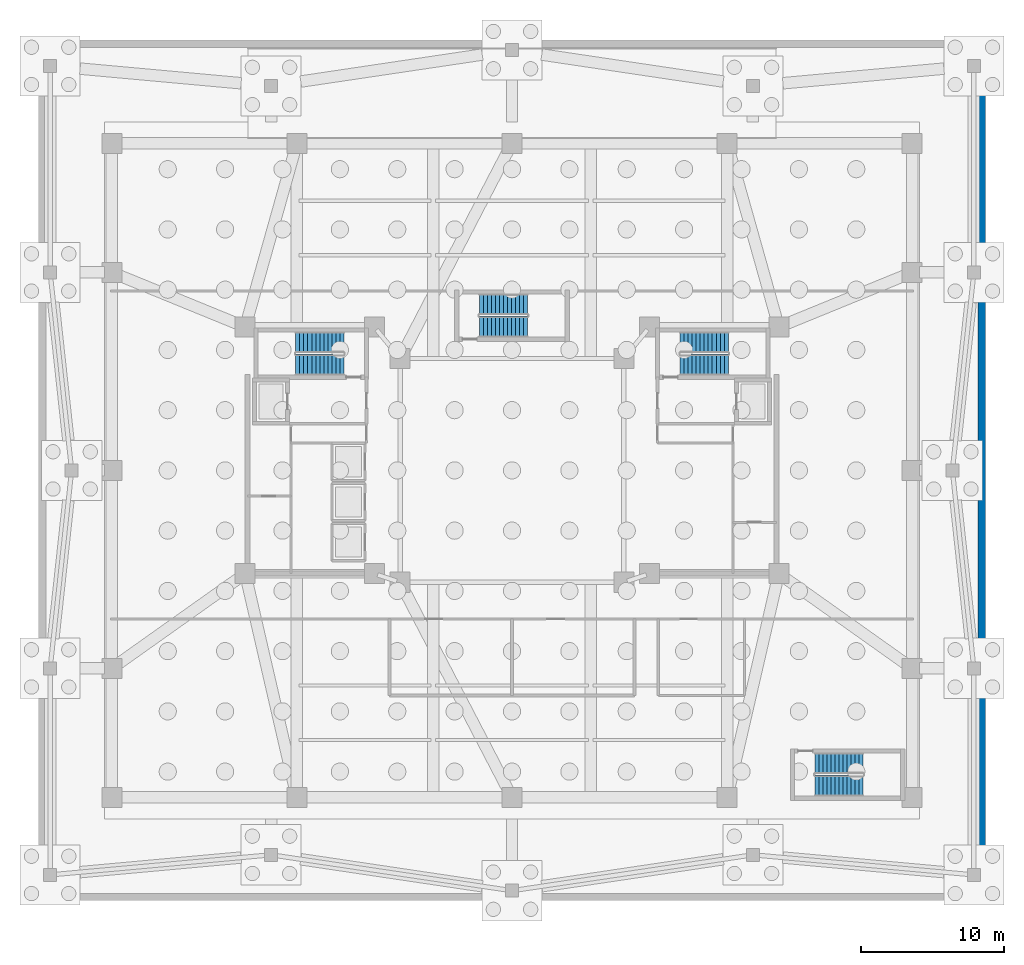
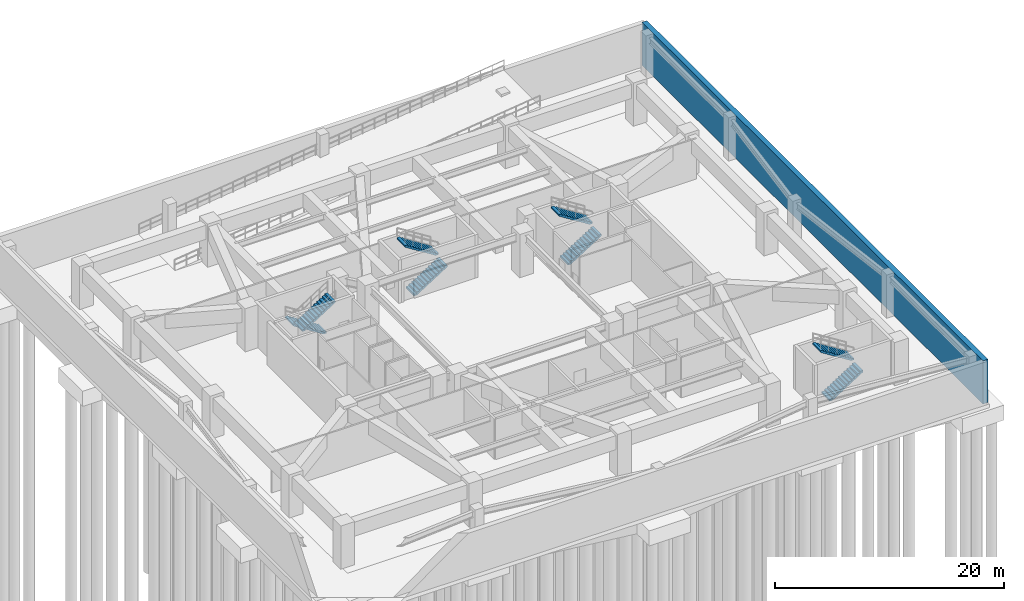
# One storey, part 6 of 9: 8 stair flights, 1 wall, 4 elements without a shape of their own.
"""IFC4 building model written with IfcOpenShell, lengths in metres."""

from ifc_helpers import new_model, si_unit, direction, frame, frame_2d, origin, place, context, subcontext, project, spatial, polyline, rectangle, outline, extrude, material, layer, layer_set, type_object, element, aggregate, save


model = new_model("IFC4")

# Units and contexts
model_context = context("Model", 3, precision=1e-05, world=origin(), true_north=direction((0.0, 1.0)))
body_context = subcontext(model_context, "Body", "Model", "MODEL_VIEW")
ifc_project = project(units=[si_unit("LENGTHUNIT", "METRE"), si_unit("AREAUNIT", "SQUARE_METRE"), si_unit("VOLUMEUNIT", "CUBIC_METRE"), si_unit("PLANEANGLEUNIT", "RADIAN"), si_unit("MASSUNIT", "GRAM", prefix="KILO")], contexts=[model_context])

# Site, building, storey
site_placement = place(None, origin())
site = spatial("IfcSite", under=ifc_project, at=site_placement, CompositionType="ELEMENT")
building_placement = place(site_placement, origin())
building = spatial("IfcBuilding", under=site, at=building_placement, Name="Tarnavaz Court Tower", CompositionType="ELEMENT")
storey_placement = place(building_placement, frame((0.0, 0.0, -9.199951171875)))
storey = spatial("IfcBuildingStorey", under=building, at=storey_placement, Name="B02", CompositionType="ELEMENT", Elevation=-9.199951171875)

# Wall
ifc_material_1 = material(Name="Concrete C50/60", Category="concrete")
ifc_layer = layer(ifc_material_1, 0.5)
ifc_layer_set = layer_set([ifc_layer], Name="Concrete C50/60")
wall_type = type_object("IfcWallType", Name="WL-RET-500", PredefinedType="USERDEFINED", material=ifc_layer_set)
wall_placement = place(storey_placement, frame((32.75, 29.75, 0.0), z_axis=(0.0, 0.0, 1.0), x_axis=(0.0, -1.0, 0.0)))
element("IfcWall", 1, at=wall_placement, inside=storey, type_object=wall_type, Name="B02 Perimeter Retaining Wall 2", ObjectType="RETAINING WALL", PredefinedType="USERDEFINED", context=body_context, shape_type="SweptSolid", body=[
    extrude(rectangle(XDim=59.5, YDim=0.5, at=frame_2d((29.75, 0.0))), origin(), (0.0, 0.0, 1.0), 4.599853515625),
])

# Stair, stair flights
ifc_material_2 = material(Name="Concrete C40/50", Category="concrete")
stair_type = type_object("IfcStairType", Name="ST-TWR-26R", PredefinedType="HALF_TURN_STAIR", material=ifc_material_2)
stair_1_placement = place(storey_placement, origin())
stair_1 = element("IfcStair", 2, at=stair_1_placement, inside=storey, type_object=stair_type, Name="B02 West Core Pressurized Exit Stair ST-W1", PredefinedType="HALF_TURN_STAIR")
stair_flight_type = type_object("IfcStairFlightType", Name="SFL-RC-26R", PredefinedType="STRAIGHT", material=ifc_material_2)
stair_flight_1_placement = place(storey_placement, frame((-11.719970703125, 8.929931640625, 0.0), z_axis=(0.0, 0.0, 1.0), x_axis=(-1.0, 0.0, 0.0)))
stair_flight_1 = element("IfcStairFlight", 3, at=stair_flight_1_placement, type_object=stair_flight_type, Name="ST-W1 flight 1", NumberOfRisers=13, NumberOfTreads=12, PredefinedType="STRAIGHT", RiserHeight=0.176923077, TreadLength=0.28, context=body_context, shape_type="SweptSolid", body=[
    extrude(outline(polyline([(0.0, 0.0), (0.0, 0.177001953125), (0.280029296875, 0.177001953125), (0.280029296875, 0.353759765625), (0.56005859375, 0.353759765625), (0.56005859375, 0.53076171875), (0.840087890625, 0.53076171875), (0.840087890625, 0.707763671875), (1.1201171875, 0.707763671875), (1.1201171875, 0.884521484375), (1.39990234375, 0.884521484375), (1.39990234375, 1.0615234375), (1.679931640625, 1.0615234375), (1.679931640625, 1.238525390625), (1.9599609375, 1.238525390625), (1.9599609375, 1.415283203125), (2.239990234375, 1.415283203125), (2.239990234375, 1.59228515625), (2.52001953125, 1.59228515625), (2.52001953125, 1.769287109375), (2.800048828125, 1.769287109375), (2.800048828125, 1.946044921875), (3.080078125, 1.946044921875), (3.080078125, 2.123046875), (3.360107421875, 2.123046875), (3.360107421875, 2.300048828125), (3.360107421875, 1.94580078125), (0.280517578125, 0.0), (0.0, 0.0)])), frame((0.0, 0.7099609375, 0.0), z_axis=(0.0, -1.0, 0.0), x_axis=(1.0, 0.0, 0.0)), (0.0, 0.0, 1.0), 1.419921875),
])
stair_flight_2_placement = place(storey_placement, frame((-15.080078125, 7.360107421875, 2.300048828125), z_axis=(0.0, 0.0, 1.0), x_axis=(1.0, 0.0, 0.0)))
stair_flight_2 = element("IfcStairFlight", 4, at=stair_flight_2_placement, type_object=stair_flight_type, Name="ST-W1 flight 2", NumberOfRisers=13, NumberOfTreads=12, PredefinedType="STRAIGHT", RiserHeight=0.176923077, TreadLength=0.28, context=body_context, shape_type="SweptSolid", body=[
    extrude(outline(polyline([(0.0, 0.0), (0.0, 0.177001953125), (0.280029296875, 0.177001953125), (0.280029296875, 0.353759765625), (0.56005859375, 0.353759765625), (0.56005859375, 0.53076171875), (0.840087890625, 0.53076171875), (0.840087890625, 0.707763671875), (1.1201171875, 0.707763671875), (1.1201171875, 0.884521484375), (1.39990234375, 0.884521484375), (1.39990234375, 1.0615234375), (1.679931640625, 1.0615234375), (1.679931640625, 1.238525390625), (1.9599609375, 1.238525390625), (1.9599609375, 1.415283203125), (2.239990234375, 1.415283203125), (2.239990234375, 1.59228515625), (2.52001953125, 1.59228515625), (2.52001953125, 1.769287109375), (2.800048828125, 1.769287109375), (2.800048828125, 1.946044921875), (3.080078125, 1.946044921875), (3.080078125, 2.123046875), (3.360107421875, 2.123046875), (3.360107421875, 2.300048828125), (3.360107421875, 1.94580078125), (0.280517578125, 0.0), (0.0, 0.0)])), frame((0.0, 0.7099609375, 0.0), z_axis=(0.0, -1.0, 0.0), x_axis=(1.0, 0.0, 0.0)), (0.0, 0.0, 1.0), 1.419921875),
])
aggregate(stair_1, [stair_flight_1, stair_flight_2])

stair_2_placement = place(storey_placement, origin())
stair_2 = element("IfcStair", 5, at=stair_2_placement, inside=storey, type_object=stair_type, Name="B02 East Core Pressurized Exit Stair ST-E1", PredefinedType="HALF_TURN_STAIR")
stair_flight_3_placement = place(storey_placement, frame((11.719970703125, 7.360107421875, 0.0), z_axis=(0.0, 0.0, 1.0), x_axis=(1.0, 0.0, 0.0)))
stair_flight_3 = element("IfcStairFlight", 6, at=stair_flight_3_placement, type_object=stair_flight_type, Name="ST-E1 flight 1", NumberOfRisers=13, NumberOfTreads=12, PredefinedType="STRAIGHT", RiserHeight=0.176923077, TreadLength=0.28, context=body_context, shape_type="SweptSolid", body=[
    extrude(outline(polyline([(0.0, 0.0), (0.0, 0.177001953125), (0.280029296875, 0.177001953125), (0.280029296875, 0.353759765625), (0.56005859375, 0.353759765625), (0.56005859375, 0.53076171875), (0.840087890625, 0.53076171875), (0.840087890625, 0.707763671875), (1.1201171875, 0.707763671875), (1.1201171875, 0.884521484375), (1.39990234375, 0.884521484375), (1.39990234375, 1.0615234375), (1.679931640625, 1.0615234375), (1.679931640625, 1.238525390625), (1.9599609375, 1.238525390625), (1.9599609375, 1.415283203125), (2.239990234375, 1.415283203125), (2.239990234375, 1.59228515625), (2.52001953125, 1.59228515625), (2.52001953125, 1.769287109375), (2.800048828125, 1.769287109375), (2.800048828125, 1.946044921875), (3.080078125, 1.946044921875), (3.080078125, 2.123046875), (3.360107421875, 2.123046875), (3.360107421875, 2.300048828125), (3.360107421875, 1.94580078125), (0.280517578125, 0.0), (0.0, 0.0)])), frame((0.0, 0.7099609375, 0.0), z_axis=(0.0, -1.0, 0.0), x_axis=(1.0, 0.0, 0.0)), (0.0, 0.0, 1.0), 1.419921875),
])
stair_flight_4_placement = place(storey_placement, frame((15.080078125, 8.929931640625, 2.300048828125), z_axis=(0.0, 0.0, 1.0), x_axis=(-1.0, 0.0, 0.0)))
stair_flight_4 = element("IfcStairFlight", 7, at=stair_flight_4_placement, type_object=stair_flight_type, Name="ST-E1 flight 2", NumberOfRisers=13, NumberOfTreads=12, PredefinedType="STRAIGHT", RiserHeight=0.176923077, TreadLength=0.28, context=body_context, shape_type="SweptSolid", body=[
    extrude(outline(polyline([(0.0, 0.0), (0.0, 0.177001953125), (0.280029296875, 0.177001953125), (0.280029296875, 0.353759765625), (0.56005859375, 0.353759765625), (0.56005859375, 0.53076171875), (0.840087890625, 0.53076171875), (0.840087890625, 0.707763671875), (1.1201171875, 0.707763671875), (1.1201171875, 0.884521484375), (1.39990234375, 0.884521484375), (1.39990234375, 1.0615234375), (1.679931640625, 1.0615234375), (1.679931640625, 1.238525390625), (1.9599609375, 1.238525390625), (1.9599609375, 1.415283203125), (2.239990234375, 1.415283203125), (2.239990234375, 1.59228515625), (2.52001953125, 1.59228515625), (2.52001953125, 1.769287109375), (2.800048828125, 1.769287109375), (2.800048828125, 1.946044921875), (3.080078125, 1.946044921875), (3.080078125, 2.123046875), (3.360107421875, 2.123046875), (3.360107421875, 2.300048828125), (3.360107421875, 1.94580078125), (0.280517578125, 0.0), (0.0, 0.0)])), frame((0.0, 0.7099609375, 0.0), z_axis=(0.0, -1.0, 0.0), x_axis=(1.0, 0.0, 0.0)), (0.0, 0.0, 1.0), 1.419921875),
])
aggregate(stair_2, [stair_flight_3, stair_flight_4])

stair_3_placement = place(storey_placement, origin())
stair_3 = element("IfcStair", 8, at=stair_3_placement, inside=storey, type_object=stair_type, Name="B02 North Ring Pressurized Exit Stair ST-N1", PredefinedType="HALF_TURN_STAIR")
stair_flight_5_placement = place(storey_placement, frame((-2.280029296875, 10.010009765625, 0.0), z_axis=(0.0, 0.0, 1.0), x_axis=(1.0, 0.0, 0.0)))
stair_flight_5 = element("IfcStairFlight", 9, at=stair_flight_5_placement, type_object=stair_flight_type, Name="ST-N1 flight 1", NumberOfRisers=13, NumberOfTreads=12, PredefinedType="STRAIGHT", RiserHeight=0.176923077, TreadLength=0.28, context=body_context, shape_type="SweptSolid", body=[
    extrude(outline(polyline([(0.0, 0.0), (0.0, 0.177001953125), (0.280029296875, 0.177001953125), (0.280029296875, 0.353759765625), (0.56005859375, 0.353759765625), (0.56005859375, 0.53076171875), (0.840087890625, 0.53076171875), (0.840087890625, 0.707763671875), (1.1201171875, 0.707763671875), (1.1201171875, 0.884521484375), (1.39990234375, 0.884521484375), (1.39990234375, 1.0615234375), (1.679931640625, 1.0615234375), (1.679931640625, 1.238525390625), (1.9599609375, 1.238525390625), (1.9599609375, 1.415283203125), (2.239990234375, 1.415283203125), (2.239990234375, 1.59228515625), (2.52001953125, 1.59228515625), (2.52001953125, 1.769287109375), (2.800048828125, 1.769287109375), (2.800048828125, 1.946044921875), (3.080078125, 1.946044921875), (3.080078125, 2.123046875), (3.360107421875, 2.123046875), (3.360107421875, 2.300048828125), (3.360107421875, 1.94580078125), (0.280517578125, 0.0), (0.0, 0.0)])), frame((0.0, 0.7099609375, 0.0), z_axis=(0.0, -1.0, 0.0), x_axis=(1.0, 0.0, 0.0)), (0.0, 0.0, 1.0), 1.419921875),
])
stair_flight_6_placement = place(storey_placement, frame((1.080078125, 11.580078125, 2.300048828125), z_axis=(0.0, 0.0, 1.0), x_axis=(-1.0, 0.0, 0.0)))
stair_flight_6 = element("IfcStairFlight", 10, at=stair_flight_6_placement, type_object=stair_flight_type, Name="ST-N1 flight 2", NumberOfRisers=13, NumberOfTreads=12, PredefinedType="STRAIGHT", RiserHeight=0.176923077, TreadLength=0.28, context=body_context, shape_type="SweptSolid", body=[
    extrude(outline(polyline([(0.0, 0.0), (0.0, 0.177001953125), (0.280029296875, 0.177001953125), (0.280029296875, 0.353759765625), (0.56005859375, 0.353759765625), (0.56005859375, 0.53076171875), (0.840087890625, 0.53076171875), (0.840087890625, 0.707763671875), (1.1201171875, 0.707763671875), (1.1201171875, 0.884521484375), (1.39990234375, 0.884521484375), (1.39990234375, 1.0615234375), (1.679931640625, 1.0615234375), (1.679931640625, 1.238525390625), (1.9599609375, 1.238525390625), (1.9599609375, 1.415283203125), (2.239990234375, 1.415283203125), (2.239990234375, 1.59228515625), (2.52001953125, 1.59228515625), (2.52001953125, 1.769287109375), (2.800048828125, 1.769287109375), (2.800048828125, 1.946044921875), (3.080078125, 1.946044921875), (3.080078125, 2.123046875), (3.360107421875, 2.123046875), (3.360107421875, 2.300048828125), (3.360107421875, 1.94580078125), (0.280517578125, 0.0), (0.0, 0.0)])), frame((0.0, 0.7099609375, 0.0), z_axis=(0.0, -1.0, 0.0), x_axis=(1.0, 0.0, 0.0)), (0.0, 0.0, 1.0), 1.419921875),
])
aggregate(stair_3, [stair_flight_5, stair_flight_6])

stair_4_placement = place(storey_placement, origin())
stair_4 = element("IfcStair", 11, at=stair_4_placement, inside=storey, type_object=stair_type, Name="B02 Podium Clinic Exit Stair ST-P1", PredefinedType="HALF_TURN_STAIR")
stair_flight_7_placement = place(storey_placement, frame((21.1201171875, -21.989990234375, 0.0), z_axis=(0.0, 0.0, 1.0), x_axis=(1.0, 0.0, 0.0)))
stair_flight_7 = element("IfcStairFlight", 12, at=stair_flight_7_placement, type_object=stair_flight_type, Name="ST-P1 flight 1", NumberOfRisers=13, NumberOfTreads=12, PredefinedType="STRAIGHT", RiserHeight=0.176923077, TreadLength=0.28, context=body_context, shape_type="SweptSolid", body=[
    extrude(outline(polyline([(0.0, 0.0), (0.0, 0.177001953125), (0.280029296875, 0.177001953125), (0.280029296875, 0.353759765625), (0.56005859375, 0.353759765625), (0.56005859375, 0.53076171875), (0.840087890625, 0.53076171875), (0.840087890625, 0.707763671875), (1.1201171875, 0.707763671875), (1.1201171875, 0.884521484375), (1.39990234375, 0.884521484375), (1.39990234375, 1.0615234375), (1.679931640625, 1.0615234375), (1.679931640625, 1.238525390625), (1.9599609375, 1.238525390625), (1.9599609375, 1.415283203125), (2.239990234375, 1.415283203125), (2.239990234375, 1.59228515625), (2.52001953125, 1.59228515625), (2.52001953125, 1.769287109375), (2.800048828125, 1.769287109375), (2.800048828125, 1.946044921875), (3.080078125, 1.946044921875), (3.080078125, 2.123046875), (3.360107421875, 2.123046875), (3.360107421875, 2.300048828125), (3.360107421875, 1.94580078125), (0.280517578125, 0.0), (0.0, 0.0)])), frame((0.0, 0.7099609375, 0.0), z_axis=(0.0, -1.0, 0.0), x_axis=(1.0, 0.0, 0.0)), (0.0, 0.0, 1.0), 1.419921875),
])
stair_flight_8_placement = place(storey_placement, frame((24.47998046875, -20.419921875, 2.300048828125), z_axis=(0.0, 0.0, 1.0), x_axis=(-1.0, 0.0, 0.0)))
stair_flight_8 = element("IfcStairFlight", 13, at=stair_flight_8_placement, type_object=stair_flight_type, Name="ST-P1 flight 2", NumberOfRisers=13, NumberOfTreads=12, PredefinedType="STRAIGHT", RiserHeight=0.176923077, TreadLength=0.28, context=body_context, shape_type="SweptSolid", body=[
    extrude(outline(polyline([(0.0, 0.0), (0.0, 0.177001953125), (0.280029296875, 0.177001953125), (0.280029296875, 0.353759765625), (0.56005859375, 0.353759765625), (0.56005859375, 0.53076171875), (0.840087890625, 0.53076171875), (0.840087890625, 0.707763671875), (1.1201171875, 0.707763671875), (1.1201171875, 0.884521484375), (1.39990234375, 0.884521484375), (1.39990234375, 1.0615234375), (1.679931640625, 1.0615234375), (1.679931640625, 1.238525390625), (1.9599609375, 1.238525390625), (1.9599609375, 1.415283203125), (2.239990234375, 1.415283203125), (2.239990234375, 1.59228515625), (2.52001953125, 1.59228515625), (2.52001953125, 1.769287109375), (2.800048828125, 1.769287109375), (2.800048828125, 1.946044921875), (3.080078125, 1.946044921875), (3.080078125, 2.123046875), (3.360107421875, 2.123046875), (3.360107421875, 2.300048828125), (3.360107421875, 1.94580078125), (0.280517578125, 0.0), (0.0, 0.0)])), frame((0.0, 0.7099609375, 0.0), z_axis=(0.0, -1.0, 0.0), x_axis=(1.0, 0.0, 0.0)), (0.0, 0.0, 1.0), 1.419921875),
])
aggregate(stair_4, [stair_flight_7, stair_flight_8])

save(model, "model.ifc")
